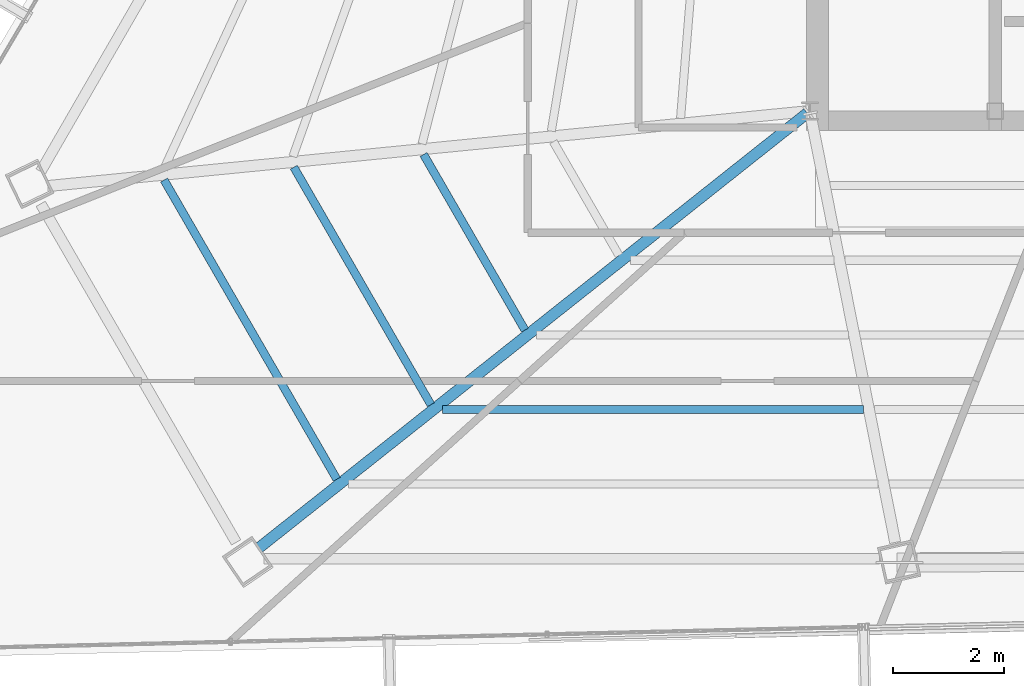
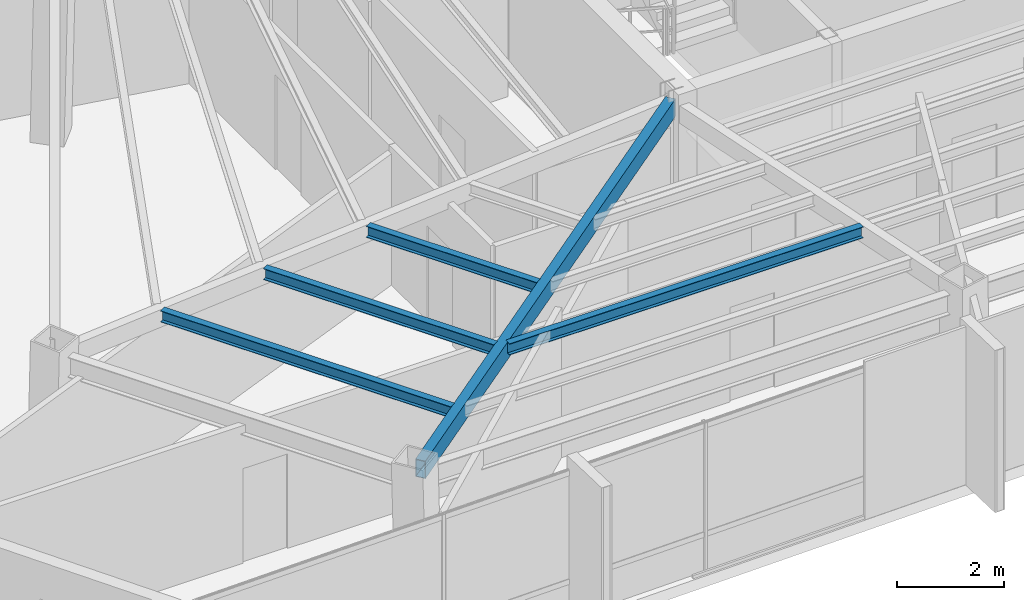
# One storey, part 6 of 46: 5 beams.
"""IFC4 building model written with IfcOpenShell, lengths in metres."""

from ifc_helpers import new_model, si_unit, direction, frame, origin, origin_2d, place, context, subcontext, project, spatial, hollow_rectangle, i_section, extrude, source, transform, mapped, material, material_profile, profile_set, type_object, type_shapes, element, save


model = new_model("IFC4")

# Units and contexts
model_context = context("Model", 3, precision=1e-05, world=origin(), true_north=direction((0.0, 1.0)))
body_context = subcontext(model_context, "Body", "Model", "MODEL_VIEW")
ifc_project = project(units=[si_unit("LENGTHUNIT", "METRE"), si_unit("AREAUNIT", "SQUARE_METRE"), si_unit("VOLUMEUNIT", "CUBIC_METRE"), si_unit("PLANEANGLEUNIT", "RADIAN"), si_unit("MASSUNIT", "GRAM", prefix="KILO")], contexts=[model_context])

# Site, building, storey
site_placement = place(None, origin())
site = spatial("IfcSite", under=ifc_project, at=site_placement, CompositionType="ELEMENT")
building_placement = place(site_placement, origin())
building = spatial("IfcBuilding", under=site, at=building_placement, Name="Caelisora Broadcast Tower", CompositionType="ELEMENT")
storey_placement = place(building_placement, frame((0.0, 0.0, 251.75)))
storey = spatial("IfcBuildingStorey", under=building, at=storey_placement, Name="L66", CompositionType="ELEMENT", Elevation=251.75)

# Beams
ifc_material_1 = material(Name="Steel Grade 350 (AS/NZS 1163 C350L0)", Category="steel")
ifc_material_profile_1 = material_profile(ifc_material_1, hollow_rectangle(XDim=0.199951171875, YDim=0.39990234375, WallThickness=0.012451171875, at=origin_2d()), Name="Steel Grade 350 (AS/NZS 1163 C350L0)")
ifc_profile_set_1 = profile_set([ifc_material_profile_1], Name="Steel Grade 350 (AS/NZS 1163 C350L0)")
beam_type_1 = type_object("IfcBeamType", Name="PG07", PredefinedType="BEAM", material=ifc_profile_set_1)
shared_shape_1 = source(origin(), body_context, "Body", "SweptSolid", [
    extrude(hollow_rectangle(XDim=0.199951171875, YDim=0.39990234375, WallThickness=0.012451171875, at=origin_2d()), origin(), (0.0, 0.0, 1.0), 12.65966796875),
])
type_shapes(beam_type_1, [shared_shape_1])
beam_1_placement = place(storey_placement, frame((30.452880859375, 17.36279296875, 3.199951171875), z_axis=(-0.783568901759, -0.621304897934, 0.0), x_axis=(0.621304897934, -0.783568901759, 0.0)))
element("IfcBeam", 1, at=beam_1_placement, inside=storey, type_object=beam_type_1, Name="L66 beam PG07", PredefinedType="BEAM", context=body_context, shape_type="MappedRepresentation", body=[
    mapped(shared_shape_1, transform((0.0, 0.0, 0.0), scale=1.0)),
])
ifc_material_2 = material(Name="Steel Grade 350 (AS/NZS 3679.1)", Category="steel")
ifc_material_profile_2 = material_profile(ifc_material_2, i_section(OverallWidth=0.14599609375, OverallDepth=0.256103515625, WebThickness=0.00634765625, FlangeThickness=0.010986328125, at=origin_2d()), Name="Steel Grade 350 (AS/NZS 3679.1)")
ifc_profile_set_2 = profile_set([ifc_material_profile_2], Name="Steel Grade 350 (AS/NZS 3679.1)")
beam_type_2 = type_object("IfcBeamType", Name="SB04", PredefinedType="JOIST", material=ifc_profile_set_2)
shared_shape_2 = source(origin(), body_context, "Body", "SweptSolid", [
    extrude(i_section(OverallWidth=0.14599609375, OverallDepth=0.256103515625, WebThickness=0.00634765625, FlangeThickness=0.010986328125, at=origin_2d()), origin(), (0.0, 0.0, 1.0), 3.6650390625),
])
beam_2_placement = place(storey_placement, frame((23.518310546875, 16.614990234375, 3.27197265625), z_axis=(0.499993462814, -0.866029177997, 0.0), x_axis=(0.866029177997, 0.499993462814, 0.0)))
element("IfcBeam", 2, at=beam_2_placement, inside=storey, type_object=beam_type_2, Name="L66 beam SB04", PredefinedType="JOIST", context=body_context, shape_type="MappedRepresentation", body=[
    mapped(shared_shape_2, transform((0.0, 0.0, 0.0), scale=1.0)),
])
shared_shape_3 = source(origin(), body_context, "Body", "SweptSolid", [
    extrude(i_section(OverallWidth=0.14599609375, OverallDepth=0.256103515625, WebThickness=0.00634765625, FlangeThickness=0.010986328125, at=origin_2d()), origin(), (0.0, 0.0, 1.0), 4.955078125),
])
beam_3_placement = place(storey_placement, frame((21.173095703125, 16.38427734375, 3.27197265625), z_axis=(0.499996833818, -0.866027231772, 0.0), x_axis=(0.866027231772, 0.499996833818, 0.0)))
element("IfcBeam", 3, at=beam_3_placement, inside=storey, type_object=beam_type_2, Name="L66 beam SB04", PredefinedType="JOIST", context=body_context, shape_type="MappedRepresentation", body=[
    mapped(shared_shape_3, transform((0.0, 0.0, 0.0), scale=1.0)),
])
shared_shape_4 = source(origin(), body_context, "Body", "SweptSolid", [
    extrude(i_section(OverallWidth=0.14599609375, OverallDepth=0.256103515625, WebThickness=0.00634765625, FlangeThickness=0.010986328125, at=origin_2d()), origin(), (0.0, 0.0, 1.0), 6.244873046875),
])
beam_4_placement = place(storey_placement, frame((18.828125, 16.1533203125, 3.27197265625), z_axis=(0.500015740354, -0.866016315896, 0.0), x_axis=(0.866016315896, 0.500015740354, 0.0)))
element("IfcBeam", 4, at=beam_4_placement, inside=storey, type_object=beam_type_2, Name="L66 beam SB04", PredefinedType="JOIST", context=body_context, shape_type="MappedRepresentation", body=[
    mapped(shared_shape_4, transform((0.0, 0.0, 0.0), scale=1.0)),
])
shared_shape_5 = source(origin(), body_context, "Body", "SweptSolid", [
    extrude(i_section(OverallWidth=0.14599609375, OverallDepth=0.256103515625, WebThickness=0.00634765625, FlangeThickness=0.010986328125, at=origin_2d()), origin(), (0.0, 0.0, 1.0), 7.610107421875),
])
type_shapes(beam_type_2, [shared_shape_2, shared_shape_3, shared_shape_4, shared_shape_5])
beam_5_placement = place(storey_placement, frame((23.857666015625, 12.008056640625, 3.27197265625), z_axis=(1.0, 0.0, 0.0), x_axis=(0.0, 1.0, 0.0)))
element("IfcBeam", 5, at=beam_5_placement, inside=storey, type_object=beam_type_2, Name="L66 beam SB04", PredefinedType="JOIST", context=body_context, shape_type="MappedRepresentation", body=[
    mapped(shared_shape_5, transform((0.0, 0.0, 0.0), scale=1.0)),
])

save(model, "model.ifc")
